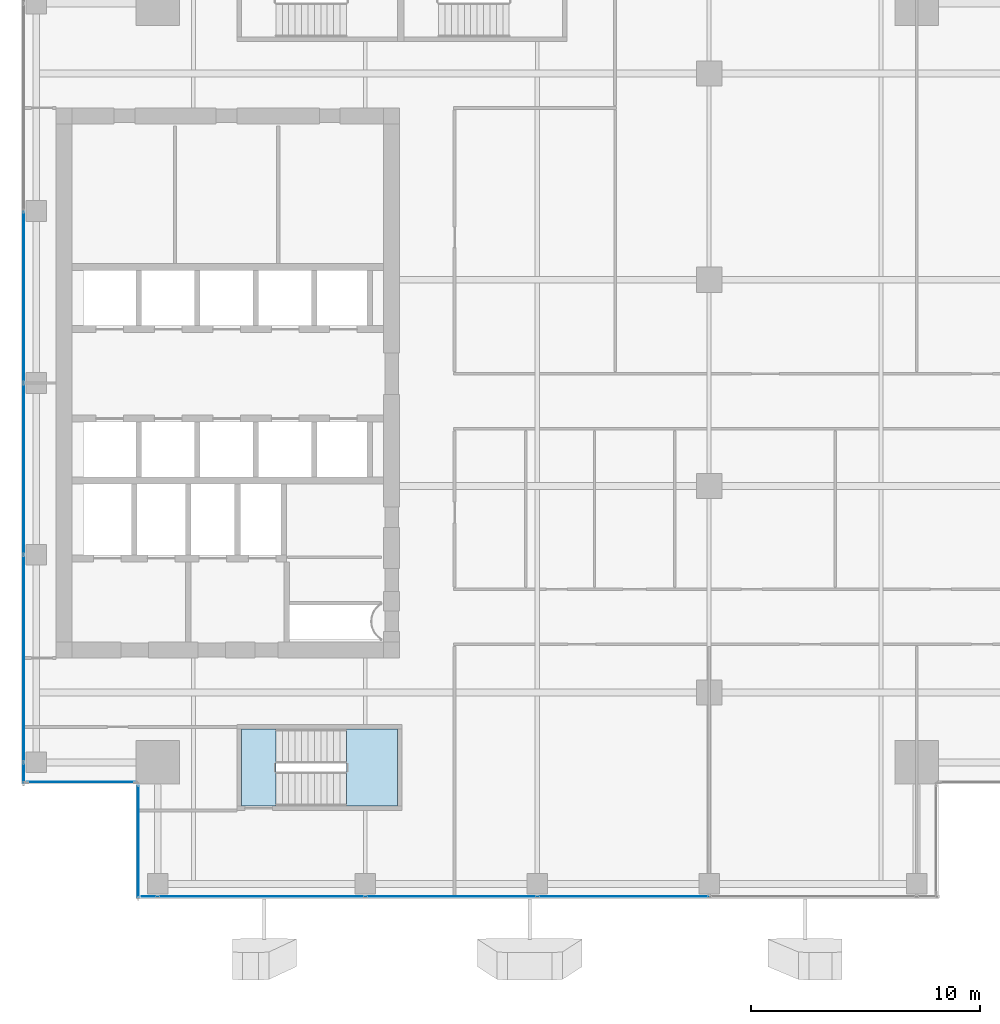
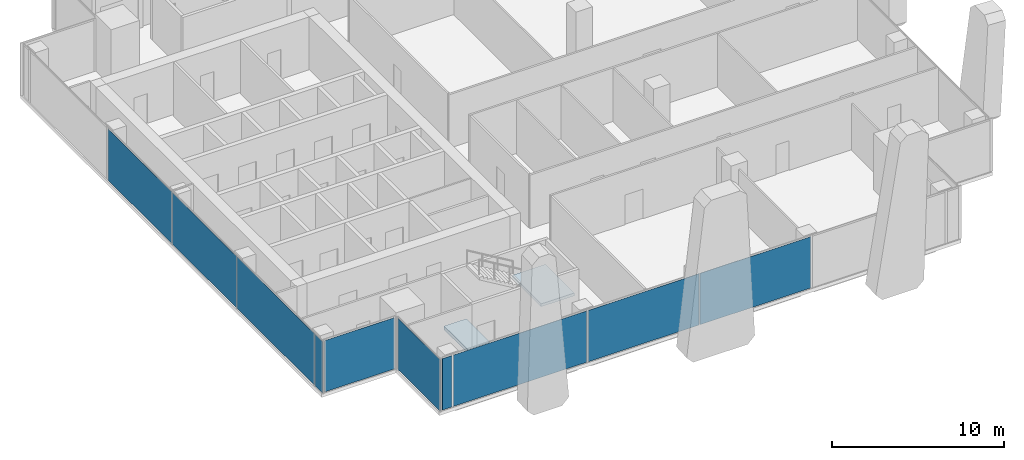
# One storey, part 26 of 36: 10 plates, 2 slabs, 5 elements without a shape of their own.
"""IFC4 building model written with IfcOpenShell, lengths in metres."""

import ifcopenshell
import ifcopenshell.guid

model = None  # the IFC model being written
_history = None  # IfcOwnerHistory: only IFC2X3 demands one
_inside = {}  # id of a spatial element -> (the spatial element, [elements in it])
_under = {}  # id of a project, library or spatial element -> (it, [spatial elements below it])
_declared = {}  # id of a project -> (the project, [libraries it declares])
_typed = {}  # id of a type object -> (the type object, [elements of that type])
_made_of = {}  # id of a material, layer set ... -> (it, [elements and type objects made of it])


def new_model(schema):
    """Start an empty IFC model of exactly this schema.

    Asked for "IFC4X3", IfcOpenShell would pick the latest addendum, in which some entities
    have other attributes; the version numbers below select the first issue.
    IFC2X3 requires an IfcOwnerHistory on every rooted entity: one is made here for all.
    """
    global model, _history
    if schema == "IFC4X3":
        model = ifcopenshell.file(schema_version=(4, 3, 0, 0))
    else:
        model = ifcopenshell.file(schema=schema)
    _inside.clear()
    _under.clear()
    _declared.clear()
    _typed.clear()
    _made_of.clear()
    _history = None
    if model.schema == "IFC2X3":
        org = make("IfcOrganization", Name="unknown")
        user = make(
            "IfcPersonAndOrganization",
            ThePerson=make("IfcPerson", FamilyName="unknown"),
            TheOrganization=org,
        )
        app = make(
            "IfcApplication",
            ApplicationDeveloper=org,
            Version="unknown",
            ApplicationFullName="unknown",
            ApplicationIdentifier="unknown",
        )
        _history = make(
            "IfcOwnerHistory",
            OwningUser=user,
            OwningApplication=app,
            ChangeAction="ADDED",
            CreationDate=0,
        )
    return model


def make(cls, **values):
    """One entity of the class cls with the attributes given. An attribute that is None is left unset."""
    return model.create_entity(
        cls, **{name: value for name, value in values.items() if value is not None}
    )


def rooted(cls, **values):
    """An entity with a GlobalId (a new one), such as an element, a storey or a relation."""
    return make(cls, GlobalId=ifcopenshell.guid.new(), OwnerHistory=_history, **values)


def si_unit(unit_type, name, prefix=None):
    """IfcSIUnit, for example si_unit("LENGTHUNIT", "METRE", prefix="MILLI")."""
    return make("IfcSIUnit", UnitType=unit_type, Prefix=prefix, Name=name)


def assignment(units):
    """IfcUnitAssignment: the units of a project."""
    return None if units is None else make("IfcUnitAssignment", Units=units)


def point(xyz):
    """IfcCartesianPoint."""
    return None if xyz is None else make("IfcCartesianPoint", Coordinates=xyz)


def direction(xyz):
    """IfcDirection."""
    return None if xyz is None else make("IfcDirection", DirectionRatios=xyz)


def frame(location, z_axis=None, x_axis=None):
    """IfcAxis2Placement3D, a coordinate frame: its origin and axes. An axis left out is left unset."""
    return make(
        "IfcAxis2Placement3D",
        Location=point(location),
        Axis=direction(z_axis),
        RefDirection=direction(x_axis),
    )


def frame_2d(location, x_axis=None):
    """IfcAxis2Placement2D, a coordinate frame in the plane: its origin and x axis."""
    return make(
        "IfcAxis2Placement2D", Location=point(location), RefDirection=direction(x_axis)
    )


def origin():
    """The frame at (0, 0, 0) with its axes left unset."""
    return frame((0.0, 0.0, 0.0))


def origin_2d():
    """The frame at (0, 0) in the plane with its x axis left unset."""
    return frame_2d((0.0, 0.0))


def place(relative_to, where):
    """IfcLocalPlacement: puts the frame where relative to a parent placement (None: the world)."""
    return make(
        "IfcLocalPlacement", PlacementRelTo=relative_to, RelativePlacement=where
    )


def context(
    kind, dimensions, precision=None, world=None, true_north=None, identifier=None
):
    """IfcGeometricRepresentationContext, for example the 3D "Model" context."""
    return make(
        "IfcGeometricRepresentationContext",
        ContextIdentifier=identifier,
        ContextType=kind,
        CoordinateSpaceDimension=dimensions,
        Precision=precision,
        WorldCoordinateSystem=world,
        TrueNorth=true_north,
    )


def subcontext(parent, identifier, kind, view, scale=None):
    """IfcGeometricRepresentationSubContext, for example "Body" below "Model"."""
    return make(
        "IfcGeometricRepresentationSubContext",
        ContextIdentifier=identifier,
        ContextType=kind,
        ParentContext=parent,
        TargetScale=scale,
        TargetView=view,
    )


def project(units=None, contexts=None):
    """IfcProject with its units and contexts."""
    return rooted(
        "IfcProject",
        Name="project",
        RepresentationContexts=contexts,
        UnitsInContext=assignment(units),
    )


def spatial(cls, under=None, at=None, **own):
    """A site, building, storey or space (cls), placed at a placement, below another one or the project."""
    s = rooted(cls, ObjectPlacement=at, **own)
    if under is not None:
        _under.setdefault(under.id(), (under, []))[1].append(s)
    return s


def polyline(points):
    """IfcPolyline through the points."""
    return make("IfcPolyline", Points=[point(p) for p in points])


def profile(cls, at=None, kind="AREA", **sizes):
    """A parametric profile (cls). Its sizes go by their IFC names, for example OverallWidth=200.0."""
    return make(cls, ProfileType=kind, Position=at, **sizes)


def rectangle(**sizes):
    """IfcRectangleProfileDef."""
    return profile("IfcRectangleProfileDef", **sizes)


def outline(outer, holes=None, kind="AREA"):
    """IfcArbitraryClosedProfileDef: a profile drawn as a closed curve; with holes, ...WithVoids."""
    if holes is None:
        return make("IfcArbitraryClosedProfileDef", ProfileType=kind, OuterCurve=outer)
    return make(
        "IfcArbitraryProfileDefWithVoids",
        ProfileType=kind,
        OuterCurve=outer,
        InnerCurves=holes,
    )


def extrude(swept, where, along, depth):
    """IfcExtrudedAreaSolid: the profile swept, set in the frame where, extruded along a direction by depth."""
    return make(
        "IfcExtrudedAreaSolid",
        SweptArea=swept,
        Position=where,
        ExtrudedDirection=direction(along),
        Depth=depth,
    )


def shape(context_of_items, identifier, shape_type, items):
    """IfcShapeRepresentation: the items that make up one representation, for example the "Body"."""
    return make(
        "IfcShapeRepresentation",
        ContextOfItems=context_of_items,
        RepresentationIdentifier=identifier,
        RepresentationType=shape_type,
        Items=items,
    )


def source(mapping_origin, context_of_items, identifier, shape_type, items):
    """IfcRepresentationMap: a shape defined once, which mapped items show again and again."""
    return make(
        "IfcRepresentationMap",
        MappingOrigin=mapping_origin,
        MappedRepresentation=shape(context_of_items, identifier, shape_type, items),
    )


def transform(
    local_origin,
    x_axis=None,
    y_axis=None,
    z_axis=None,
    scale=None,
    scale2=None,
    scale3=None,
    uniform=True,
):
    """IfcCartesianTransformationOperator3D, or its non-uniform kind. x_axis, y_axis, z_axis: its Axis1, 2, 3."""
    if uniform:
        return make(
            "IfcCartesianTransformationOperator3D",
            Axis1=direction(x_axis),
            Axis2=direction(y_axis),
            LocalOrigin=point(local_origin),
            Scale=scale,
            Axis3=direction(z_axis),
        )
    return make(
        "IfcCartesianTransformationOperator3DnonUniform",
        Axis1=direction(x_axis),
        Axis2=direction(y_axis),
        LocalOrigin=point(local_origin),
        Scale=scale,
        Axis3=direction(z_axis),
        Scale2=scale2,
        Scale3=scale3,
    )


def mapped(mapping_source, mapping_target):
    """IfcMappedItem: shows the shape of a source again, moved by a transform."""
    return make(
        "IfcMappedItem", MappingSource=mapping_source, MappingTarget=mapping_target
    )


def material(Name=None, Category=None):
    """IfcMaterial."""
    return make("IfcMaterial", Name=Name, Category=Category)


def layer(
    of_material, thickness, ventilated=None, Name=None, Category=None, Priority=None
):
    """IfcMaterialLayer: one layer of a wall or slab, of a material (None: an air gap)."""
    return make(
        "IfcMaterialLayer",
        Material=of_material,
        LayerThickness=thickness,
        IsVentilated=ventilated,
        Name=Name,
        Category=Category,
        Priority=Priority,
    )


def layer_set(layers, Name=None):
    """IfcMaterialLayerSet."""
    return make("IfcMaterialLayerSet", MaterialLayers=layers, LayerSetName=Name)


def made_of(thing, what):
    """Note that an element or type object is made of a material, layer set ...; save() writes the relation."""
    if what is not None:
        _made_of.setdefault(what.id(), (what, []))[1].append(thing)
    return thing


def type_object(cls, material=None, **own):
    """A type object (cls), such as IfcWallType, which elements share."""
    return made_of(rooted(cls, **own), material)


def element(
    cls,
    number,
    at=None,
    inside=None,
    cuts=None,
    type_object=None,
    material=None,
    context=None,
    identifier="Body",
    shape_type=None,
    held_by="IfcProductDefinitionShape",
    body=None,
    shapes=None,
    **own,
):
    """One element of the class cls, such as IfcWall. Its Tag is "e" and its number.

    at: its placement. inside: the storey or other place that contains it. cuts: it is an
    opening in that element (IfcRelVoidsElement). A single representation is given by context,
    identifier, shape_type and body (its items); several are given by shapes. held_by: the class
    of the entity that holds the representations. save() writes the other relations.
    """
    e = rooted(cls, Tag="e%d" % number, ObjectPlacement=at, **own)
    if body is not None:
        shapes = [shape(context, identifier, shape_type, body)]
    if shapes is not None:
        e.Representation = make(held_by, Representations=shapes)
    if inside is not None:
        _inside.setdefault(inside.id(), (inside, []))[1].append(e)
    if cuts is not None:
        rooted(
            "IfcRelVoidsElement", RelatingBuildingElement=cuts, RelatedOpeningElement=e
        )
    if type_object is not None:
        _typed.setdefault(type_object.id(), (type_object, []))[1].append(e)
    return made_of(e, material)


def aggregate(whole, parts):
    """IfcRelAggregates: a whole, such as a stair, and the parts it consists of."""
    return rooted("IfcRelAggregates", RelatingObject=whole, RelatedObjects=parts)


def save(model, path):
    """Write the relations noted so far, then the file.

    IfcRelAggregates (storeys below a building ...), IfcRelContainedInSpatialStructure (elements
    in a storey), IfcRelDefinesByType, IfcRelAssociatesMaterial and IfcRelDeclares: one each for
    every whole, place, type object, material and project.
    """
    for whole, parts in _under.values():
        aggregate(whole, parts)
    for where, things in _inside.values():
        rooted(
            "IfcRelContainedInSpatialStructure",
            RelatedElements=things,
            RelatingStructure=where,
        )
    for kind, things in _typed.values():
        rooted("IfcRelDefinesByType", RelatedObjects=things, RelatingType=kind)
    for what, things in _made_of.values():
        rooted("IfcRelAssociatesMaterial", RelatedObjects=things, RelatingMaterial=what)
    for by, libraries in _declared.values():
        rooted("IfcRelDeclares", RelatingContext=by, RelatedDefinitions=libraries)
    model.write(path)


model = new_model("IFC4")

# Units and contexts
model_context = context("Model", 3, precision=1e-05, world=origin(), true_north=direction((0.0, 1.0)))
body_context = subcontext(model_context, "Body", "Model", "MODEL_VIEW")
ifc_project = project(units=[si_unit("LENGTHUNIT", "METRE"), si_unit("AREAUNIT", "SQUARE_METRE"), si_unit("VOLUMEUNIT", "CUBIC_METRE"), si_unit("PLANEANGLEUNIT", "RADIAN"), si_unit("MASSUNIT", "GRAM", prefix="KILO")], contexts=[model_context])

# Site, building, storey
site_placement = place(None, origin())
site = spatial("IfcSite", under=ifc_project, at=site_placement, CompositionType="ELEMENT")
building_placement = place(site_placement, origin())
building = spatial("IfcBuilding", under=site, at=building_placement, Name="Khomas Fold Tower", CompositionType="ELEMENT")
storey_placement = place(building_placement, frame((0.0, 0.0, 238.199951171875)))
storey = spatial("IfcBuildingStorey", under=building, at=storey_placement, Name="L53", CompositionType="ELEMENT", Elevation=238.199951171875)

# Curtain wall, plates
ifc_material_1 = material(Name="Aluminium framed double glazing", Category="aluminium")
curtain_wall_type = type_object("IfcCurtainWallType", Name="SK-Unitised clear-glass wall, office floors CW2", PredefinedType="NOTDEFINED", material=ifc_material_1)
curtain_wall_1_placement = place(storey_placement, origin())
curtain_wall_1 = element("IfcCurtainWall", 1, at=curtain_wall_1_placement, inside=storey, type_object=curtain_wall_type, Name="CW2 run L53 00-0", PredefinedType="NOTDEFINED")
ifc_material_2 = material(Name="Clear double glazed unit")
ifc_layer_1 = layer(ifc_material_2, 0.030029296875)
ifc_layer_set_1 = layer_set([ifc_layer_1], Name="Clear double glazed unit")
plate_type = type_object("IfcPlateType", Name="SK-Unitised clear-glass wall, office floors glass panel CW2-P", PredefinedType="CURTAIN_PANEL", material=ifc_layer_set_1)
shared_shape_1 = source(origin(), body_context, "Body", "SweptSolid", [
    extrude(rectangle(XDim=0.659912109375, YDim=0.030029296875, at=origin_2d()), origin(), (0.0, 0.0, 1.0), 3.639892578125),
])
plate_1_placement = place(storey_placement, frame((10.090087890625, 4.60009765625, 0.0), z_axis=(0.0, 0.0, 1.0), x_axis=(1.0, 0.0, 0.0)))
plate_1 = element("IfcPlate", 2, at=plate_1_placement, type_object=plate_type, Name="CW2 glass panel 1", PredefinedType="CURTAIN_PANEL", context=body_context, shape_type="MappedRepresentation", body=[
    mapped(shared_shape_1, transform((0.0, 0.0, 0.0))),
])
shared_shape_2 = source(origin(), body_context, "Body", "SweptSolid", [
    extrude(rectangle(XDim=7.43994140625, YDim=0.030029296875, at=origin_2d()), origin(), (0.0, 0.0, 1.0), 3.639892578125),
])
plate_2_placement = place(storey_placement, frame((23.25, 4.60009765625, 0.0), z_axis=(0.0, 0.0, 1.0), x_axis=(1.0, 0.0, 0.0)))
plate_2 = element("IfcPlate", 3, at=plate_2_placement, type_object=plate_type, Name="CW2 glass panel 3", PredefinedType="CURTAIN_PANEL", context=body_context, shape_type="MappedRepresentation", body=[
    mapped(shared_shape_2, transform((0.0, 0.0, 0.0))),
])
plate_3_placement = place(storey_placement, frame((30.75, 4.60009765625, 0.0), z_axis=(0.0, 0.0, 1.0), x_axis=(1.0, 0.0, 0.0)))
plate_3 = element("IfcPlate", 4, at=plate_3_placement, type_object=plate_type, Name="CW2 glass panel 4", PredefinedType="CURTAIN_PANEL", context=body_context, shape_type="MappedRepresentation", body=[
    mapped(shared_shape_2, transform((0.0, 0.0, 0.0))),
])

curtain_wall_2_placement = place(storey_placement, origin())
curtain_wall_2 = element("IfcCurtainWall", 5, at=curtain_wall_2_placement, inside=storey, type_object=curtain_wall_type, Name="CW2 run L53 09-0", PredefinedType="NOTDEFINED")
plate_4_placement = place(storey_placement, frame((4.60009765625, 30.75, 0.0), z_axis=(0.0, 0.0, 1.0), x_axis=(0.0, -1.0, 0.0)))
plate_4 = element("IfcPlate", 6, at=plate_4_placement, type_object=plate_type, Name="CW2 glass panel 3", PredefinedType="CURTAIN_PANEL", context=body_context, shape_type="MappedRepresentation", body=[
    mapped(shared_shape_2, transform((0.0, 0.0, 0.0))),
])
plate_5_placement = place(storey_placement, frame((4.60009765625, 23.25, 0.0), z_axis=(0.0, 0.0, 1.0), x_axis=(0.0, -1.0, 0.0)))
plate_5 = element("IfcPlate", 7, at=plate_5_placement, type_object=plate_type, Name="CW2 glass panel 4", PredefinedType="CURTAIN_PANEL", context=body_context, shape_type="MappedRepresentation", body=[
    mapped(shared_shape_2, transform((0.0, 0.0, 0.0))),
])
shared_shape_3 = source(origin(), body_context, "Body", "SweptSolid", [
    extrude(rectangle(XDim=0.860107421875, YDim=0.030029296875, at=origin_2d()), origin(), (0.0, 0.0, 1.0), 3.639892578125),
])
plate_6_placement = place(storey_placement, frame((4.60009765625, 9.989990234375, 0.0), z_axis=(0.0, 0.0, 1.0), x_axis=(0.0, -1.0, 0.0)))
plate_6 = element("IfcPlate", 8, at=plate_6_placement, type_object=plate_type, Name="CW2 glass panel 6", PredefinedType="CURTAIN_PANEL", context=body_context, shape_type="MappedRepresentation", body=[
    mapped(shared_shape_3, transform((0.0, 0.0, 0.0))),
])

# Plate
shared_shape_4 = source(origin(), body_context, "Body", "SweptSolid", [
    extrude(rectangle(XDim=8.989990234375, YDim=0.030029296875, at=origin_2d()), origin(), (0.0, 0.0, 1.0), 3.639892578125),
])
plate_7_placement = place(storey_placement, frame((14.97509765625, 4.60009765625, 0.0), z_axis=(0.0, 0.0, 1.0), x_axis=(1.0, 0.0, 0.0)))
plate_7 = element("IfcPlate", 9, at=plate_7_placement, type_object=plate_type, Name="CW2 glass panel 2", PredefinedType="CURTAIN_PANEL", context=body_context, shape_type="MappedRepresentation", body=[
    mapped(shared_shape_4, transform((0.0, 0.0, 0.0))),
])

aggregate(curtain_wall_1, [plate_1, plate_7, plate_2, plate_3])

plate_8_placement = place(storey_placement, frame((4.60009765625, 14.97509765625, 0.0), z_axis=(0.0, 0.0, 1.0), x_axis=(0.0, -1.0, 0.0)))
plate_8 = element("IfcPlate", 10, at=plate_8_placement, type_object=plate_type, Name="CW2 glass panel 5", PredefinedType="CURTAIN_PANEL", context=body_context, shape_type="MappedRepresentation", body=[
    mapped(shared_shape_4, transform((0.0, 0.0, 0.0))),
])

aggregate(curtain_wall_2, [plate_4, plate_5, plate_8, plate_6])

# Curtain wall, plate
curtain_wall_3_placement = place(storey_placement, origin())
curtain_wall_3 = element("IfcCurtainWall", 11, at=curtain_wall_3_placement, inside=storey, type_object=curtain_wall_type, Name="CW2 corner return L53 10", PredefinedType="NOTDEFINED")
shared_shape_5 = source(origin(), body_context, "Body", "SweptSolid", [
    extrude(rectangle(XDim=4.679931640625, YDim=0.030029296875, at=origin_2d()), origin(), (0.0, 0.0, 1.0), 3.639892578125),
])
plate_9_placement = place(storey_placement, frame((7.10009765625, 9.60009765625, 0.0), z_axis=(0.0, 0.0, 1.0), x_axis=(1.0, 0.0, 0.0)))
plate_9 = element("IfcPlate", 12, at=plate_9_placement, type_object=plate_type, Name="CW2 glass panel 1", PredefinedType="CURTAIN_PANEL", context=body_context, shape_type="MappedRepresentation", body=[
    mapped(shared_shape_5, transform((0.0, 0.0, 0.0))),
])
aggregate(curtain_wall_3, [plate_9])

curtain_wall_4_placement = place(storey_placement, origin())
curtain_wall_4 = element("IfcCurtainWall", 13, at=curtain_wall_4_placement, inside=storey, type_object=curtain_wall_type, Name="CW2 corner return L53 11", PredefinedType="NOTDEFINED")
shared_shape_6 = source(origin(), body_context, "Body", "SweptSolid", [
    extrude(rectangle(XDim=4.8798828125, YDim=0.030029296875, at=origin_2d()), origin(), (0.0, 0.0, 1.0), 3.639892578125),
])
plate_10_placement = place(storey_placement, frame((9.60009765625, 7.0, 0.0), z_axis=(0.0, 0.0, 1.0), x_axis=(0.0, -1.0, 0.0)))
plate_10 = element("IfcPlate", 14, at=plate_10_placement, type_object=plate_type, Name="CW2 glass panel 1", PredefinedType="CURTAIN_PANEL", context=body_context, shape_type="MappedRepresentation", body=[
    mapped(shared_shape_6, transform((0.0, 0.0, 0.0))),
])
aggregate(curtain_wall_4, [plate_10])

# Stair, slab
ifc_material_3 = material(Name="Concrete C40/50", Category="concrete")
stair_type = type_object("IfcStairType", Name="Stair ST2", PredefinedType="HALF_TURN_STAIR", material=ifc_material_3)
stair_placement = place(storey_placement, origin())
stair = element("IfcStair", 15, at=stair_placement, inside=storey, type_object=stair_type, Name="L53 ST2", PredefinedType="HALF_TURN_STAIR")
ifc_material_4 = material(Name="Concrete C40/50", Category="concrete")
ifc_layer_2 = layer(ifc_material_4, 0.199951171875)
ifc_layer_set_2 = layer_set([ifc_layer_2], Name="Concrete C40/50")
slab_type_1 = type_object("IfcSlabType", Name="Stair landing 200", PredefinedType="LANDING", material=ifc_layer_set_2)
shared_shape_7 = source(origin(), body_context, "Body", "SweptSolid", [
    extrude(outline(polyline([(18.679931640625, 8.550048828125), (20.89990234375, 8.550048828125), (20.89990234375, 11.89990234375), (18.679931640625, 11.89990234375), (18.679931640625, 8.550048828125)])), origin(), (0.0, 0.0, 1.0), 0.199951171875),
])
slab_1_placement = place(storey_placement, frame((0.0, 0.0, 1.800048828125)))
slab_1 = element("IfcSlab", 16, at=slab_1_placement, type_object=slab_type_1, Name="ST2 landing 1", PredefinedType="LANDING", context=body_context, shape_type="MappedRepresentation", body=[
    mapped(shared_shape_7, transform((0.0, 0.0, 0.0))),
])
aggregate(stair, [slab_1])

# Slab
ifc_material_5 = material(Name="Concrete C40/50", Category="concrete")
ifc_layer_3 = layer(ifc_material_5, 0.25)
ifc_layer_set_3 = layer_set([ifc_layer_3], Name="Concrete C40/50")
slab_type_2 = type_object("IfcSlabType", Name="Stair floor landing 250", PredefinedType="LANDING", material=ifc_layer_set_3)
shared_shape_8 = source(origin(), body_context, "Body", "SweptSolid", [
    extrude(outline(polyline([(15.60009765625, 8.550048828125), (14.10009765625, 8.550048828125), (14.10009765625, 11.89990234375), (15.60009765625, 11.89990234375), (15.60009765625, 8.550048828125)])), origin(), (0.0, 0.0, 1.0), 0.25),
])
slab_2_placement = place(storey_placement, frame((0.0, 0.0, -0.25)))
element("IfcSlab", 17, at=slab_2_placement, inside=storey, type_object=slab_type_2, Name="ST2 floor landing", PredefinedType="LANDING", context=body_context, shape_type="MappedRepresentation", body=[
    mapped(shared_shape_8, transform((0.0, 0.0, 0.0))),
])

save(model, "model.ifc")
